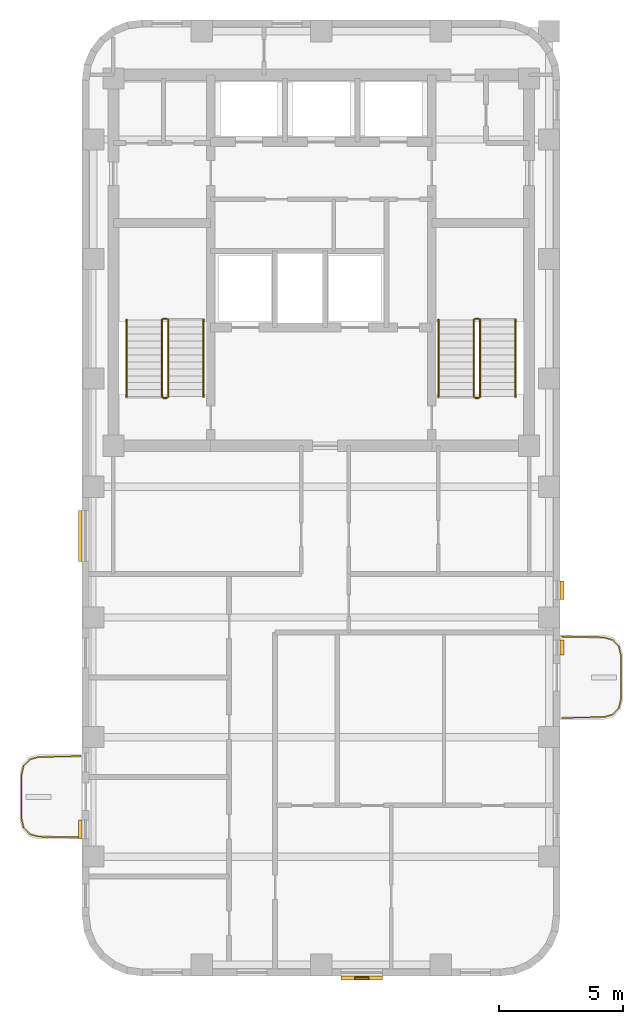
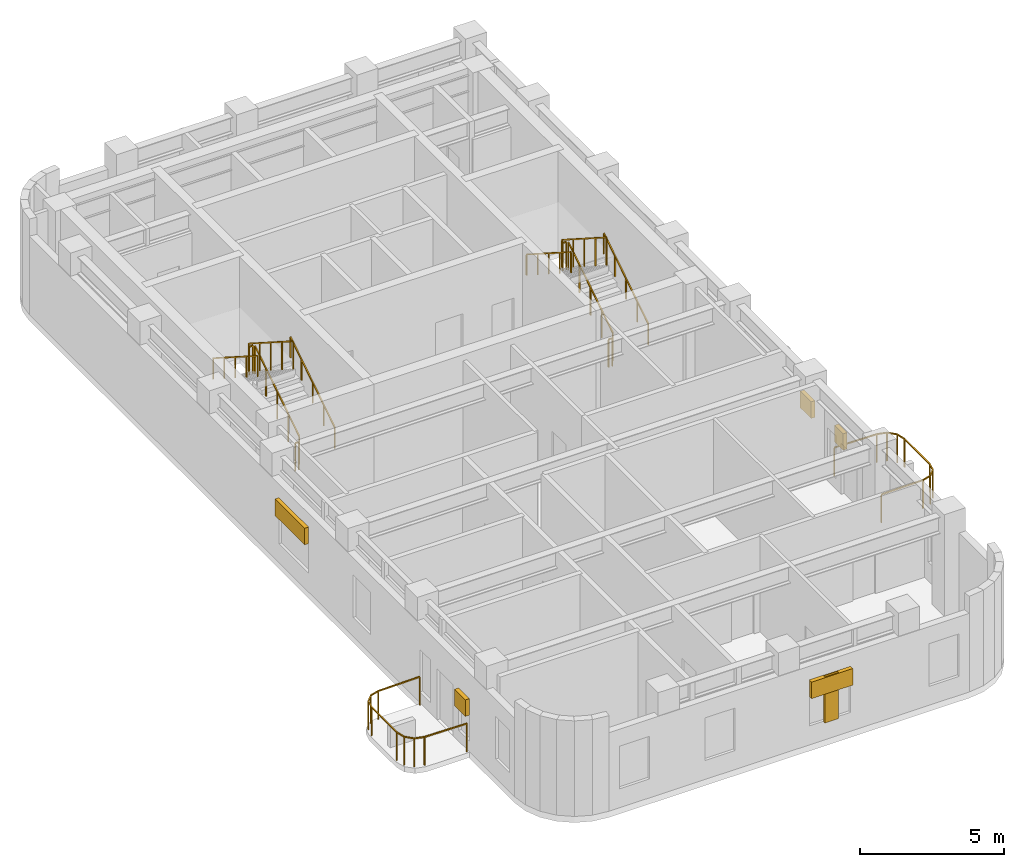
# One storey, part 6 of 6: 14 railings, 6 shading devices.
"""IFC4 building model written with IfcOpenShell, lengths in metres."""

from ifc_helpers import new_model, si_unit, direction, frame, origin, origin_2d, place, context, subcontext, project, spatial, rectangle, extrude, material, type_object, element, save


model = new_model("IFC4")

# Units and contexts
model_context = context("Model", 3, precision=1e-05, world=origin(), true_north=direction((0.0, 1.0)))
body_context = subcontext(model_context, "Body", "Model", "MODEL_VIEW")
ifc_project = project(units=[si_unit("LENGTHUNIT", "METRE"), si_unit("AREAUNIT", "SQUARE_METRE"), si_unit("VOLUMEUNIT", "CUBIC_METRE"), si_unit("PLANEANGLEUNIT", "RADIAN"), si_unit("MASSUNIT", "GRAM", prefix="KILO")], contexts=[model_context])

# Site, building, storey
site_placement = place(None, origin())
site = spatial("IfcSite", under=ifc_project, at=site_placement, CompositionType="ELEMENT")
building_placement = place(site_placement, origin())
building = spatial("IfcBuilding", under=site, at=building_placement, Name="Orvandelia Arch Residences", CompositionType="ELEMENT")
storey_placement = place(building_placement, frame((0.0, 0.0, 244.10009765625)))
storey = spatial("IfcBuildingStorey", under=building, at=storey_placement, Name="L64", CompositionType="ELEMENT", Elevation=244.10009765625)

# Railings
ifc_material_1 = material(Name="Marine-Grade Stainless Steel 316", Category="steel")
railing_type_1 = type_object("IfcRailingType", Name="GRD-BAL-1200", PredefinedType="BALUSTRADE", material=ifc_material_1)
railing_1_placement = place(storey_placement, frame((4.728271484375, 18.430419921875, 0.0)))
element("IfcRailing", 1, at=railing_1_placement, inside=storey, type_object=railing_type_1, Name="Safety Balustrade Guard GRD-L64-BAL-L64-W1-1", PredefinedType="BALUSTRADE", context=body_context, shape_type="SweptSolid", body=[
    extrude(rectangle(XDim=0.048095703125, YDim=0.048095703125, at=origin_2d()), frame((0.0, 0.0, 1.19580078125), z_axis=(-0.999834751713, -0.018178813668, 0.0), x_axis=(0.018178813668, -0.999834751713, 0.0)), (0.0, 0.0, 1.0), 1.6787109375),
    extrude(rectangle(XDim=0.048095703125, YDim=0.048095703125, at=origin_2d()), frame((-1.678466796875, -0.030517578125, 1.19580078125), z_axis=(-0.96348920644, -0.267747173792, 0.0), x_axis=(0.267747173792, -0.96348920644, 0.0)), (0.0, 0.0, 1.0), 0.36572265625),
    extrude(rectangle(XDim=0.048095703125, YDim=0.048095703125, at=origin_2d()), frame((-2.03076171875, -0.12841796875, 1.19580078125), z_axis=(-0.688627404251, -0.725115368831, 0.0), x_axis=(0.725115368831, -0.688627404251, 0.0)), (0.0, 0.0, 1.0), 0.367919921875),
    extrude(rectangle(XDim=0.048095703125, YDim=0.048095703125, at=origin_2d()), frame((-2.2841796875, -0.395263671875, 1.19580078125), z_axis=(-0.220602419982, -0.975363815352, 0.0), x_axis=(0.975363815352, -0.220602419982, 0.0)), (0.0, 0.0, 1.0), 0.373046875),
    extrude(rectangle(XDim=0.048095703125, YDim=0.048095703125, at=origin_2d()), frame((-2.366455078125, -0.759033203125, 1.19580078125), z_axis=(0.0, -1.0, 0.0), x_axis=(1.0, 0.0, 0.0)), (0.0, 0.0, 1.0), 1.74267578125),
    extrude(rectangle(XDim=0.048095703125, YDim=0.048095703125, at=origin_2d()), frame((-2.366455078125, -2.501708984375, 1.19580078125), z_axis=(0.220602419982, -0.975363815352, 0.0), x_axis=(0.975363815352, 0.220602419982, 0.0)), (0.0, 0.0, 1.0), 0.373046875),
    extrude(rectangle(XDim=0.048095703125, YDim=0.048095703125, at=origin_2d()), frame((-2.2841796875, -2.865478515625, 1.19580078125), z_axis=(0.688296224633, -0.725429739642, 0.0), x_axis=(0.725429739642, 0.688296224633, 0.0)), (0.0, 0.0, 1.0), 0.3681640625),
    extrude(rectangle(XDim=0.048095703125, YDim=0.048095703125, at=origin_2d()), frame((-2.03076171875, -3.132568359375, 1.19580078125), z_axis=(0.96348920644, -0.267747173792, 0.0), x_axis=(0.267747173792, 0.96348920644, 0.0)), (0.0, 0.0, 1.0), 0.36572265625),
    extrude(rectangle(XDim=0.048095703125, YDim=0.048095703125, at=origin_2d()), frame((-1.678466796875, -3.23046875, 1.19580078125), z_axis=(0.999837384468, -0.018033430643, 0.0), x_axis=(0.018033430643, 0.999837384468, 0.0)), (0.0, 0.0, 1.0), 1.6787109375),
    extrude(rectangle(XDim=0.0419921875, YDim=0.0419921875, at=origin_2d()), origin(), (0.0, 0.0, 1.0), 1.171875),
    extrude(rectangle(XDim=0.0419921875, YDim=0.0419921875, at=origin_2d()), frame((-1.678466796875, -0.030517578125, 0.0)), (0.0, 0.0, 1.0), 1.171875),
    extrude(rectangle(XDim=0.0419921875, YDim=0.0419921875, at=origin_2d()), frame((-2.03076171875, -0.12841796875, 0.0)), (0.0, 0.0, 1.0), 1.171875),
    extrude(rectangle(XDim=0.0419921875, YDim=0.0419921875, at=origin_2d()), frame((-2.2841796875, -0.395263671875, 0.0)), (0.0, 0.0, 1.0), 1.171875),
    extrude(rectangle(XDim=0.0419921875, YDim=0.0419921875, at=origin_2d()), frame((-2.366455078125, -0.759033203125, 0.0)), (0.0, 0.0, 1.0), 1.171875),
    extrude(rectangle(XDim=0.0419921875, YDim=0.0419921875, at=origin_2d()), frame((-2.366455078125, -2.501708984375, 0.0)), (0.0, 0.0, 1.0), 1.171875),
    extrude(rectangle(XDim=0.0419921875, YDim=0.0419921875, at=origin_2d()), frame((-2.2841796875, -2.865478515625, 0.0)), (0.0, 0.0, 1.0), 1.171875),
    extrude(rectangle(XDim=0.0419921875, YDim=0.0419921875, at=origin_2d()), frame((-2.03076171875, -3.132568359375, 0.0)), (0.0, 0.0, 1.0), 1.171875),
    extrude(rectangle(XDim=0.0419921875, YDim=0.0419921875, at=origin_2d()), frame((-1.678466796875, -3.23046875, 0.0)), (0.0, 0.0, 1.0), 1.171875),
    extrude(rectangle(XDim=0.0419921875, YDim=0.0419921875, at=origin_2d()), frame((0.0, -3.2607421875, 0.0)), (0.0, 0.0, 1.0), 1.171875),
])
railing_2_placement = place(storey_placement, frame((24.07177734375, 19.969482421875, 0.0)))
element("IfcRailing", 2, at=railing_2_placement, inside=storey, type_object=railing_type_1, Name="Safety Balustrade Guard GRD-L64-BAL-L64-W2-1", PredefinedType="BALUSTRADE", context=body_context, shape_type="SweptSolid", body=[
    extrude(rectangle(XDim=0.048095703125, YDim=0.048095703125, at=origin_2d()), frame((0.0, 0.0, 1.19580078125), z_axis=(0.999834751713, 0.018178813668, 0.0), x_axis=(-0.018178813668, 0.999834751713, 0.0)), (0.0, 0.0, 1.0), 1.6787109375),
    extrude(rectangle(XDim=0.048095703125, YDim=0.048095703125, at=origin_2d()), frame((1.678466796875, 0.030517578125, 1.19580078125), z_axis=(0.96348920644, 0.267747173792, 0.0), x_axis=(-0.267747173792, 0.96348920644, 0.0)), (0.0, 0.0, 1.0), 0.36572265625),
    extrude(rectangle(XDim=0.048095703125, YDim=0.048095703125, at=origin_2d()), frame((2.03076171875, 0.12841796875, 1.19580078125), z_axis=(0.687947031175, 0.725760898848, 0.0), x_axis=(-0.725760898848, 0.687947031175, 0.0)), (0.0, 0.0, 1.0), 0.367919921875),
    extrude(rectangle(XDim=0.048095703125, YDim=0.048095703125, at=origin_2d()), frame((2.283935546875, 0.3955078125, 1.19580078125), z_axis=(0.221225034864, 0.975222786828, 0.0), x_axis=(-0.975222786828, 0.221225034864, 0.0)), (0.0, 0.0, 1.0), 0.373046875),
    extrude(rectangle(XDim=0.048095703125, YDim=0.048095703125, at=origin_2d()), frame((2.366455078125, 0.75927734375, 1.19580078125), z_axis=(0.0, 1.0, 0.0), x_axis=(-1.0, 0.0, 0.0)), (0.0, 0.0, 1.0), 1.742431640625),
    extrude(rectangle(XDim=0.048095703125, YDim=0.048095703125, at=origin_2d()), frame((2.366455078125, 2.501708984375, 1.19580078125), z_axis=(-0.2210839158, 0.975254788337, 0.0), x_axis=(-0.975254788337, -0.2210839158, 0.0)), (0.0, 0.0, 1.0), 0.373291015625),
    extrude(rectangle(XDim=0.048095703125, YDim=0.048095703125, at=origin_2d()), frame((2.283935546875, 2.86572265625, 1.19580078125), z_axis=(-0.688278345278, 0.725446703364, 0.0), x_axis=(-0.725446703364, -0.688278345278, 0.0)), (0.0, 0.0, 1.0), 0.367919921875),
    extrude(rectangle(XDim=0.048095703125, YDim=0.048095703125, at=origin_2d()), frame((2.03076171875, 3.132568359375, 1.19580078125), z_axis=(-0.96348920644, 0.267747173792, 0.0), x_axis=(-0.267747173792, -0.96348920644, 0.0)), (0.0, 0.0, 1.0), 0.36572265625),
    extrude(rectangle(XDim=0.048095703125, YDim=0.048095703125, at=origin_2d()), frame((1.678466796875, 3.23046875, 1.19580078125), z_axis=(-0.999834751713, 0.018178813668, 0.0), x_axis=(-0.018178813668, -0.999834751713, 0.0)), (0.0, 0.0, 1.0), 1.6787109375),
    extrude(rectangle(XDim=0.0419921875, YDim=0.0419921875, at=origin_2d()), origin(), (0.0, 0.0, 1.0), 1.171875),
    extrude(rectangle(XDim=0.0419921875, YDim=0.0419921875, at=origin_2d()), frame((1.678466796875, 0.030517578125, 0.0)), (0.0, 0.0, 1.0), 1.171875),
    extrude(rectangle(XDim=0.0419921875, YDim=0.0419921875, at=origin_2d()), frame((2.03076171875, 0.12841796875, 0.0)), (0.0, 0.0, 1.0), 1.171875),
    extrude(rectangle(XDim=0.0419921875, YDim=0.0419921875, at=origin_2d()), frame((2.283935546875, 0.3955078125, 0.0)), (0.0, 0.0, 1.0), 1.171875),
    extrude(rectangle(XDim=0.0419921875, YDim=0.0419921875, at=origin_2d()), frame((2.366455078125, 0.75927734375, 0.0)), (0.0, 0.0, 1.0), 1.171875),
    extrude(rectangle(XDim=0.0419921875, YDim=0.0419921875, at=origin_2d()), frame((2.366455078125, 2.501708984375, 0.0)), (0.0, 0.0, 1.0), 1.171875),
    extrude(rectangle(XDim=0.0419921875, YDim=0.0419921875, at=origin_2d()), frame((2.283935546875, 2.86572265625, 0.0)), (0.0, 0.0, 1.0), 1.171875),
    extrude(rectangle(XDim=0.0419921875, YDim=0.0419921875, at=origin_2d()), frame((2.03076171875, 3.132568359375, 0.0)), (0.0, 0.0, 1.0), 1.171875),
    extrude(rectangle(XDim=0.0419921875, YDim=0.0419921875, at=origin_2d()), frame((1.678466796875, 3.23046875, 0.0)), (0.0, 0.0, 1.0), 1.171875),
    extrude(rectangle(XDim=0.0419921875, YDim=0.0419921875, at=origin_2d()), frame((0.0, 3.260986328125, 0.0)), (0.0, 0.0, 1.0), 1.171875),
])
ifc_material_2 = material(Name="Brushed Stainless Steel 304", Category="steel")
railing_type_2 = type_object("IfcRailingType", Name="RL-STAIR-GD1120", PredefinedType="GUARDRAIL", material=ifc_material_2)
railing_3_placement = place(storey_placement, frame((8.25, 32.8701171875, 0.178955078125)))
element("IfcRailing", 3, at=railing_3_placement, inside=storey, type_object=railing_type_2, Name="L64 ST-1 stair guard 1", PredefinedType="GUARDRAIL", context=body_context, shape_type="SweptSolid", body=[
    extrude(rectangle(XDim=0.048095703125, YDim=0.048095703125, at=origin_2d()), frame((0.0, 0.0, 1.17578125), z_axis=(0.0, 0.842289589211, 0.539025275759), x_axis=(-1.0, 0.0, 0.0)), (0.0, 0.0, 1.0), 3.656494140625),
    extrude(rectangle(XDim=0.0419921875, YDim=0.0419921875, at=origin_2d()), origin(), (0.0, 0.0, 1.0), 1.15185546875),
    extrude(rectangle(XDim=0.0419921875, YDim=0.0419921875, at=origin_2d()), frame((0.0, 0.77001953125, 0.49267578125)), (0.0, 0.0, 1.0), 1.15185546875),
    extrude(rectangle(XDim=0.0419921875, YDim=0.0419921875, at=origin_2d()), frame((0.0, 1.5400390625, 0.9853515625)), (0.0, 0.0, 1.0), 1.15185546875),
    extrude(rectangle(XDim=0.0419921875, YDim=0.0419921875, at=origin_2d()), frame((0.0, 2.309814453125, 1.478271484375)), (0.0, 0.0, 1.0), 1.15185546875),
    extrude(rectangle(XDim=0.0419921875, YDim=0.0419921875, at=origin_2d()), frame((0.0, 3.079833984375, 1.970947265625)), (0.0, 0.0, 1.0), 1.15185546875),
])
railing_4_placement = place(storey_placement, frame((8.199951171875, 36.0, 2.14990234375)))
element("IfcRailing", 4, at=railing_4_placement, inside=storey, type_object=railing_type_2, Name="L64 ST-1 stair guard 2", PredefinedType="GUARDRAIL", context=body_context, shape_type="SweptSolid", body=[
    extrude(rectangle(XDim=0.048095703125, YDim=0.048095703125, at=origin_2d()), frame((0.0, 0.0, 1.17578125), z_axis=(-1.0, 0.0, 0.0), x_axis=(0.0, -1.0, 0.0)), (0.0, 0.0, 1.0), 0.14990234375),
    extrude(rectangle(XDim=0.0419921875, YDim=0.0419921875, at=origin_2d()), origin(), (0.0, 0.0, 1.0), 1.15185546875),
    extrude(rectangle(XDim=0.0419921875, YDim=0.0419921875, at=origin_2d()), frame((-0.14990234375, 0.0, 0.0)), (0.0, 0.0, 1.0), 1.15185546875),
])
railing_5_placement = place(storey_placement, frame((8.0, 35.949951171875, 2.3291015625)))
element("IfcRailing", 5, at=railing_5_placement, inside=storey, type_object=railing_type_2, Name="L64 ST-1 stair guard 3", PredefinedType="GUARDRAIL", context=body_context, shape_type="SweptSolid", body=[
    extrude(rectangle(XDim=0.048095703125, YDim=0.048095703125, at=origin_2d()), frame((0.0, 0.0, 1.17578125), z_axis=(0.0, -0.842319903074, 0.538977903893), x_axis=(1.0, 0.0, 0.0)), (0.0, 0.0, 1.0), 3.65625),
    extrude(rectangle(XDim=0.0419921875, YDim=0.0419921875, at=origin_2d()), origin(), (0.0, 0.0, 1.0), 1.15185546875),
    extrude(rectangle(XDim=0.0419921875, YDim=0.0419921875, at=origin_2d()), frame((0.0, -0.77001953125, 0.49267578125)), (0.0, 0.0, 1.0), 1.15185546875),
    extrude(rectangle(XDim=0.0419921875, YDim=0.0419921875, at=origin_2d()), frame((0.0, -1.5400390625, 0.9853515625)), (0.0, 0.0, 1.0), 1.15185546875),
    extrude(rectangle(XDim=0.0419921875, YDim=0.0419921875, at=origin_2d()), frame((0.0, -2.309814453125, 1.47802734375)), (0.0, 0.0, 1.0), 1.15185546875),
    extrude(rectangle(XDim=0.0419921875, YDim=0.0419921875, at=origin_2d()), frame((0.0, -3.079833984375, 1.970703125)), (0.0, 0.0, 1.0), 1.15185546875),
])
railing_6_placement = place(storey_placement, frame((8.199951171875, 32.820068359375, 0.0)))
element("IfcRailing", 6, at=railing_6_placement, inside=storey, type_object=railing_type_2, Name="L64 ST-1 stair guard 4", PredefinedType="GUARDRAIL", context=body_context, shape_type="SweptSolid", body=[
    extrude(rectangle(XDim=0.048095703125, YDim=0.048095703125, at=origin_2d()), frame((0.0, 0.0, 1.17578125), z_axis=(-1.0, 0.0, 0.0), x_axis=(0.0, -1.0, 0.0)), (0.0, 0.0, 1.0), 0.14990234375),
    extrude(rectangle(XDim=0.0419921875, YDim=0.0419921875, at=origin_2d()), origin(), (0.0, 0.0, 1.0), 1.15185546875),
    extrude(rectangle(XDim=0.0419921875, YDim=0.0419921875, at=origin_2d()), frame((-0.14990234375, 0.0, 0.0)), (0.0, 0.0, 1.0), 1.15185546875),
])
railing_7_placement = place(storey_placement, frame((20.780029296875, 32.8701171875, 0.178955078125)))
element("IfcRailing", 7, at=railing_7_placement, inside=storey, type_object=railing_type_2, Name="L64 ST-2 stair guard 1", PredefinedType="GUARDRAIL", context=body_context, shape_type="SweptSolid", body=[
    extrude(rectangle(XDim=0.048095703125, YDim=0.048095703125, at=origin_2d()), frame((0.0, 0.0, 1.17578125), z_axis=(0.0, 0.842289589211, 0.539025275759), x_axis=(-1.0, 0.0, 0.0)), (0.0, 0.0, 1.0), 3.656494140625),
    extrude(rectangle(XDim=0.0419921875, YDim=0.0419921875, at=origin_2d()), origin(), (0.0, 0.0, 1.0), 1.15185546875),
    extrude(rectangle(XDim=0.0419921875, YDim=0.0419921875, at=origin_2d()), frame((0.0, 0.77001953125, 0.49267578125)), (0.0, 0.0, 1.0), 1.15185546875),
    extrude(rectangle(XDim=0.0419921875, YDim=0.0419921875, at=origin_2d()), frame((0.0, 1.5400390625, 0.9853515625)), (0.0, 0.0, 1.0), 1.15185546875),
    extrude(rectangle(XDim=0.0419921875, YDim=0.0419921875, at=origin_2d()), frame((0.0, 2.309814453125, 1.478271484375)), (0.0, 0.0, 1.0), 1.15185546875),
    extrude(rectangle(XDim=0.0419921875, YDim=0.0419921875, at=origin_2d()), frame((0.0, 3.079833984375, 1.970947265625)), (0.0, 0.0, 1.0), 1.15185546875),
])
railing_8_placement = place(storey_placement, frame((20.72998046875, 36.0, 2.14990234375)))
element("IfcRailing", 8, at=railing_8_placement, inside=storey, type_object=railing_type_2, Name="L64 ST-2 stair guard 2", PredefinedType="GUARDRAIL", context=body_context, shape_type="SweptSolid", body=[
    extrude(rectangle(XDim=0.048095703125, YDim=0.048095703125, at=origin_2d()), frame((0.0, 0.0, 1.17578125), z_axis=(-1.0, 0.0, 0.0), x_axis=(0.0, -1.0, 0.0)), (0.0, 0.0, 1.0), 0.14990234375),
    extrude(rectangle(XDim=0.0419921875, YDim=0.0419921875, at=origin_2d()), origin(), (0.0, 0.0, 1.0), 1.15185546875),
    extrude(rectangle(XDim=0.0419921875, YDim=0.0419921875, at=origin_2d()), frame((-0.14990234375, 0.0, 0.0)), (0.0, 0.0, 1.0), 1.15185546875),
])
railing_9_placement = place(storey_placement, frame((20.530029296875, 35.949951171875, 2.3291015625)))
element("IfcRailing", 9, at=railing_9_placement, inside=storey, type_object=railing_type_2, Name="L64 ST-2 stair guard 3", PredefinedType="GUARDRAIL", context=body_context, shape_type="SweptSolid", body=[
    extrude(rectangle(XDim=0.048095703125, YDim=0.048095703125, at=origin_2d()), frame((0.0, 0.0, 1.17578125), z_axis=(0.0, -0.842319903074, 0.538977903893), x_axis=(1.0, 0.0, 0.0)), (0.0, 0.0, 1.0), 3.65625),
    extrude(rectangle(XDim=0.0419921875, YDim=0.0419921875, at=origin_2d()), origin(), (0.0, 0.0, 1.0), 1.15185546875),
    extrude(rectangle(XDim=0.0419921875, YDim=0.0419921875, at=origin_2d()), frame((0.0, -0.77001953125, 0.49267578125)), (0.0, 0.0, 1.0), 1.15185546875),
    extrude(rectangle(XDim=0.0419921875, YDim=0.0419921875, at=origin_2d()), frame((0.0, -1.5400390625, 0.9853515625)), (0.0, 0.0, 1.0), 1.15185546875),
    extrude(rectangle(XDim=0.0419921875, YDim=0.0419921875, at=origin_2d()), frame((0.0, -2.309814453125, 1.47802734375)), (0.0, 0.0, 1.0), 1.15185546875),
    extrude(rectangle(XDim=0.0419921875, YDim=0.0419921875, at=origin_2d()), frame((0.0, -3.079833984375, 1.970703125)), (0.0, 0.0, 1.0), 1.15185546875),
])
railing_10_placement = place(storey_placement, frame((20.72998046875, 32.820068359375, 0.0)))
element("IfcRailing", 10, at=railing_10_placement, inside=storey, type_object=railing_type_2, Name="L64 ST-2 stair guard 4", PredefinedType="GUARDRAIL", context=body_context, shape_type="SweptSolid", body=[
    extrude(rectangle(XDim=0.048095703125, YDim=0.048095703125, at=origin_2d()), frame((0.0, 0.0, 1.17578125), z_axis=(-1.0, 0.0, 0.0), x_axis=(0.0, -1.0, 0.0)), (0.0, 0.0, 1.0), 0.14990234375),
    extrude(rectangle(XDim=0.0419921875, YDim=0.0419921875, at=origin_2d()), origin(), (0.0, 0.0, 1.0), 1.15185546875),
    extrude(rectangle(XDim=0.0419921875, YDim=0.0419921875, at=origin_2d()), frame((-0.14990234375, 0.0, 0.0)), (0.0, 0.0, 1.0), 1.15185546875),
])
railing_type_3 = type_object("IfcRailingType", Name="RL-STAIR-HR920", PredefinedType="HANDRAIL", material=ifc_material_2)
railing_11_placement = place(storey_placement, frame((9.669921875, 32.8701171875, 0.358154296875)))
element("IfcRailing", 11, at=railing_11_placement, inside=storey, type_object=railing_type_3, Name="L64 ST-1 stair handrail 1", PredefinedType="HANDRAIL", context=body_context, shape_type="SweptSolid", body=[
    extrude(rectangle(XDim=0.048095703125, YDim=0.048095703125, at=origin_2d()), frame((0.0, 0.0, 0.8759765625), z_axis=(0.0, 0.842289589211, 0.539025275759), x_axis=(-1.0, 0.0, 0.0)), (0.0, 0.0, 1.0), 3.656494140625),
    extrude(rectangle(XDim=0.0419921875, YDim=0.0419921875, at=origin_2d()), origin(), (0.0, 0.0, 1.0), 0.851806640625),
    extrude(rectangle(XDim=0.0419921875, YDim=0.0419921875, at=origin_2d()), frame((0.0, 0.77001953125, 0.49267578125)), (0.0, 0.0, 1.0), 0.851806640625),
    extrude(rectangle(XDim=0.0419921875, YDim=0.0419921875, at=origin_2d()), frame((0.0, 1.5400390625, 0.9853515625)), (0.0, 0.0, 1.0), 0.851806640625),
    extrude(rectangle(XDim=0.0419921875, YDim=0.0419921875, at=origin_2d()), frame((0.0, 2.309814453125, 1.478271484375)), (0.0, 0.0, 1.0), 0.851806640625),
    extrude(rectangle(XDim=0.0419921875, YDim=0.0419921875, at=origin_2d()), frame((0.0, 3.079833984375, 1.970947265625)), (0.0, 0.0, 1.0), 0.851806640625),
])
railing_12_placement = place(storey_placement, frame((6.580078125, 35.949951171875, 2.50830078125)))
element("IfcRailing", 12, at=railing_12_placement, inside=storey, type_object=railing_type_3, Name="L64 ST-1 stair handrail 2", PredefinedType="HANDRAIL", context=body_context, shape_type="SweptSolid", body=[
    extrude(rectangle(XDim=0.048095703125, YDim=0.048095703125, at=origin_2d()), frame((0.0, 0.0, 0.8759765625), z_axis=(0.0, -0.842319903074, 0.538977903893), x_axis=(1.0, 0.0, 0.0)), (0.0, 0.0, 1.0), 3.65625),
    extrude(rectangle(XDim=0.0419921875, YDim=0.0419921875, at=origin_2d()), origin(), (0.0, 0.0, 1.0), 0.851806640625),
    extrude(rectangle(XDim=0.0419921875, YDim=0.0419921875, at=origin_2d()), frame((0.0, -0.77001953125, 0.49267578125)), (0.0, 0.0, 1.0), 0.851806640625),
    extrude(rectangle(XDim=0.0419921875, YDim=0.0419921875, at=origin_2d()), frame((0.0, -1.5400390625, 0.9853515625)), (0.0, 0.0, 1.0), 0.851806640625),
    extrude(rectangle(XDim=0.0419921875, YDim=0.0419921875, at=origin_2d()), frame((0.0, -2.309814453125, 1.47802734375)), (0.0, 0.0, 1.0), 0.851806640625),
    extrude(rectangle(XDim=0.0419921875, YDim=0.0419921875, at=origin_2d()), frame((0.0, -3.079833984375, 1.970703125)), (0.0, 0.0, 1.0), 0.851806640625),
])
railing_13_placement = place(storey_placement, frame((22.199951171875, 32.8701171875, 0.358154296875)))
element("IfcRailing", 13, at=railing_13_placement, inside=storey, type_object=railing_type_3, Name="L64 ST-2 stair handrail 1", PredefinedType="HANDRAIL", context=body_context, shape_type="SweptSolid", body=[
    extrude(rectangle(XDim=0.048095703125, YDim=0.048095703125, at=origin_2d()), frame((0.0, 0.0, 0.8759765625), z_axis=(0.0, 0.842289589211, 0.539025275759), x_axis=(-1.0, 0.0, 0.0)), (0.0, 0.0, 1.0), 3.656494140625),
    extrude(rectangle(XDim=0.0419921875, YDim=0.0419921875, at=origin_2d()), origin(), (0.0, 0.0, 1.0), 0.851806640625),
    extrude(rectangle(XDim=0.0419921875, YDim=0.0419921875, at=origin_2d()), frame((0.0, 0.77001953125, 0.49267578125)), (0.0, 0.0, 1.0), 0.851806640625),
    extrude(rectangle(XDim=0.0419921875, YDim=0.0419921875, at=origin_2d()), frame((0.0, 1.5400390625, 0.9853515625)), (0.0, 0.0, 1.0), 0.851806640625),
    extrude(rectangle(XDim=0.0419921875, YDim=0.0419921875, at=origin_2d()), frame((0.0, 2.309814453125, 1.478271484375)), (0.0, 0.0, 1.0), 0.851806640625),
    extrude(rectangle(XDim=0.0419921875, YDim=0.0419921875, at=origin_2d()), frame((0.0, 3.079833984375, 1.970947265625)), (0.0, 0.0, 1.0), 0.851806640625),
])
railing_14_placement = place(storey_placement, frame((19.110107421875, 35.949951171875, 2.50830078125)))
element("IfcRailing", 14, at=railing_14_placement, inside=storey, type_object=railing_type_3, Name="L64 ST-2 stair handrail 2", PredefinedType="HANDRAIL", context=body_context, shape_type="SweptSolid", body=[
    extrude(rectangle(XDim=0.048095703125, YDim=0.048095703125, at=origin_2d()), frame((0.0, 0.0, 0.8759765625), z_axis=(0.0, -0.842319903074, 0.538977903893), x_axis=(1.0, 0.0, 0.0)), (0.0, 0.0, 1.0), 3.65625),
    extrude(rectangle(XDim=0.0419921875, YDim=0.0419921875, at=origin_2d()), origin(), (0.0, 0.0, 1.0), 0.851806640625),
    extrude(rectangle(XDim=0.0419921875, YDim=0.0419921875, at=origin_2d()), frame((0.0, -0.77001953125, 0.49267578125)), (0.0, 0.0, 1.0), 0.851806640625),
    extrude(rectangle(XDim=0.0419921875, YDim=0.0419921875, at=origin_2d()), frame((0.0, -1.5400390625, 0.9853515625)), (0.0, 0.0, 1.0), 0.851806640625),
    extrude(rectangle(XDim=0.0419921875, YDim=0.0419921875, at=origin_2d()), frame((0.0, -2.309814453125, 1.47802734375)), (0.0, 0.0, 1.0), 0.851806640625),
    extrude(rectangle(XDim=0.0419921875, YDim=0.0419921875, at=origin_2d()), frame((0.0, -3.079833984375, 1.970703125)), (0.0, 0.0, 1.0), 0.851806640625),
])

# Shading devices
ifc_material_3 = material(Name="Anodised Champagne-Bronze Extruded Aluminium", Category="aluminium")
shading_device_type_1 = type_object("IfcShadingDeviceType", Name="SHD-JALOUSIE-SCREEN", PredefinedType="JALOUSIE", material=ifc_material_3)
shading_device_1_placement = place(storey_placement, frame((24.080078125, 22.794921875, 1.5498046875), z_axis=(0.0, 0.0, 1.0), x_axis=(0.0, -1.0, 0.0)))
element("IfcShadingDevice", 15, at=shading_device_1_placement, inside=storey, type_object=shading_device_type_1, Name="Bronze Jalousie Sun-Shade L64-001", PredefinedType="JALOUSIE", context=body_context, shape_type="SweptSolid", body=[
    extrude(rectangle(XDim=0.60009765625, YDim=0.159912109375, at=origin_2d()), origin(), (0.0, 0.0, 1.0), 0.699951171875),
])
shading_device_2_placement = place(storey_placement, frame((24.080078125, 25.092529296875, 1.5498046875), z_axis=(0.0, 0.0, 1.0), x_axis=(0.0, -1.0, 0.0)))
element("IfcShadingDevice", 16, at=shading_device_2_placement, inside=storey, type_object=shading_device_type_1, Name="Bronze Jalousie Sun-Shade L64-002", PredefinedType="JALOUSIE", context=body_context, shape_type="SweptSolid", body=[
    extrude(rectangle(XDim=0.75, YDim=0.159912109375, at=origin_2d()), origin(), (0.0, 0.0, 1.0), 0.699951171875),
])
shading_device_3_placement = place(storey_placement, frame((16.02587890625, 9.52001953125, 2.0498046875), z_axis=(0.0, 0.0, 1.0), x_axis=(-1.0, 0.0, 0.0)))
element("IfcShadingDevice", 17, at=shading_device_3_placement, inside=storey, type_object=shading_device_type_1, Name="Bronze Jalousie Sun-Shade L64-003", PredefinedType="JALOUSIE", context=body_context, shape_type="SweptSolid", body=[
    extrude(rectangle(XDim=1.64990234375, YDim=0.159912109375, at=origin_2d()), origin(), (0.0, 0.0, 1.0), 0.699951171875),
])
shading_device_4_placement = place(storey_placement, frame((4.719970703125, 15.49755859375, 1.5498046875), z_axis=(0.0, 0.0, 1.0), x_axis=(0.0, 1.0, 0.0)))
element("IfcShadingDevice", 18, at=shading_device_4_placement, inside=storey, type_object=shading_device_type_1, Name="Bronze Jalousie Sun-Shade L64-004", PredefinedType="JALOUSIE", context=body_context, shape_type="SweptSolid", body=[
    extrude(rectangle(XDim=0.75, YDim=0.159912109375, at=origin_2d()), origin(), (0.0, 0.0, 1.0), 0.699951171875),
])
shading_device_5_placement = place(storey_placement, frame((4.719970703125, 27.282470703125, 2.0498046875), z_axis=(0.0, 0.0, 1.0), x_axis=(0.0, 1.0, 0.0)))
element("IfcShadingDevice", 19, at=shading_device_5_placement, inside=storey, type_object=shading_device_type_1, Name="Bronze Jalousie Sun-Shade L64-005", PredefinedType="JALOUSIE", context=body_context, shape_type="SweptSolid", body=[
    extrude(rectangle(XDim=2.050048828125, YDim=0.159912109375, at=origin_2d()), origin(), (0.0, 0.0, 1.0), 0.699951171875),
])
ifc_material_4 = material(Name="Marine-Grade Perforated Aluminium Storm Shutter", Category="aluminium")
shading_device_type_2 = type_object("IfcShadingDeviceType", Name="SHD-STORM-SHUTTER", PredefinedType="SHUTTER", material=ifc_material_4)
shading_device_6_placement = place(storey_placement, frame((16.02587890625, 9.52001953125, 0.7998046875), z_axis=(0.0, 0.0, 1.0), x_axis=(-1.0, 0.0, 0.0)))
element("IfcShadingDevice", 20, at=shading_device_6_placement, inside=storey, type_object=shading_device_type_2, Name="Operable Typhoon Storm Shutter L64-003", PredefinedType="SHUTTER", context=body_context, shape_type="SweptSolid", body=[
    extrude(rectangle(XDim=0.550048828125, YDim=0.080078125, at=origin_2d()), origin(), (0.0, 0.0, 1.0), 1.949951171875),
])

save(model, "model.ifc")
